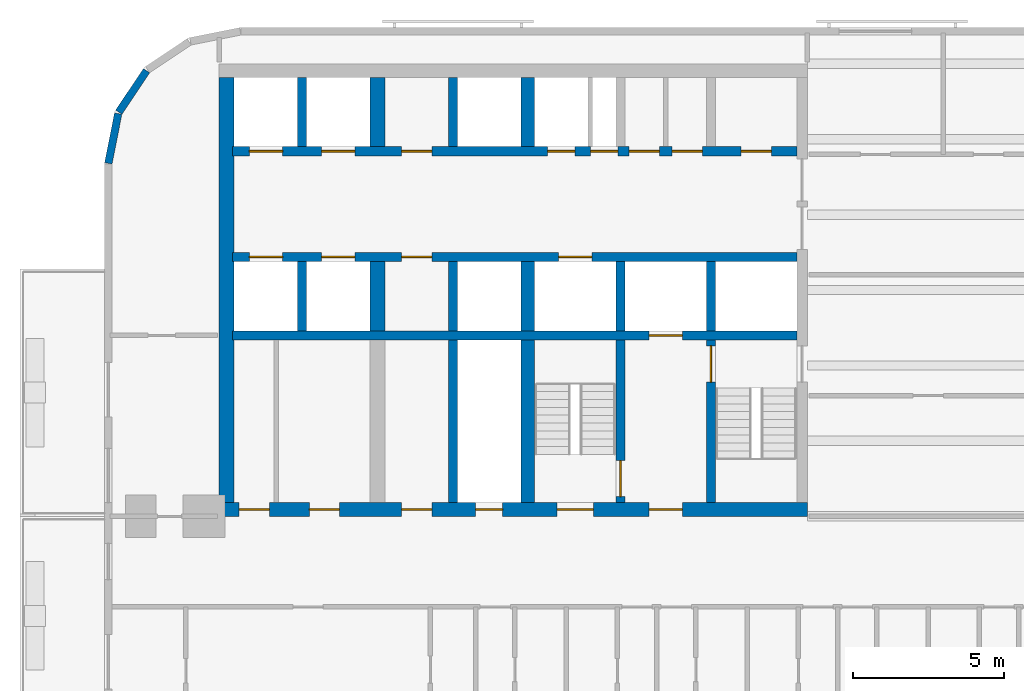
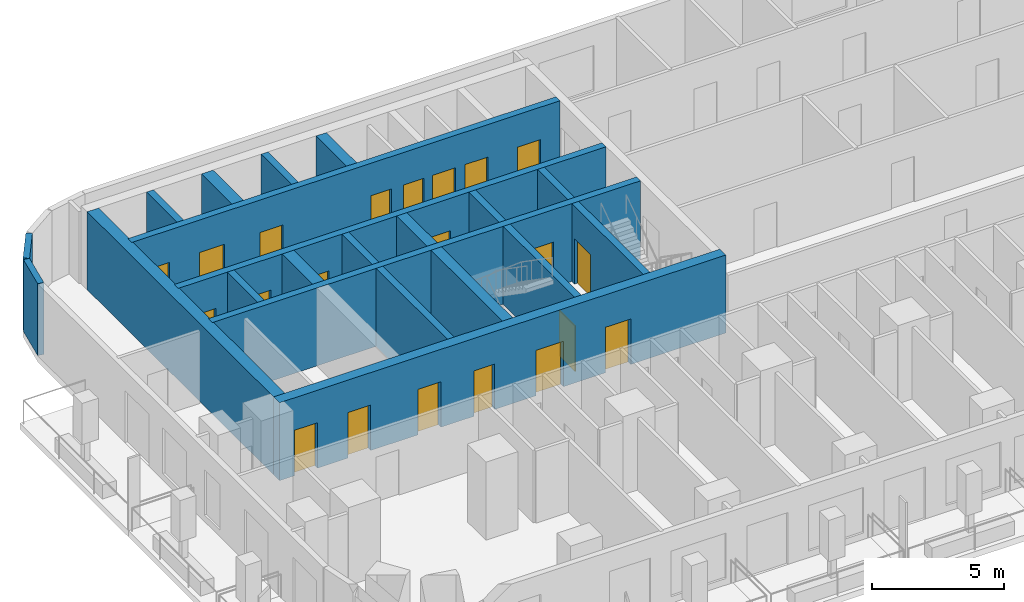
# One storey, part 3 of 14: 21 doors, 21 walls, 21 openings.
"""IFC4 building model written with IfcOpenShell, lengths in metres."""

from ifc_helpers import new_model, si_unit, direction, frame, frame_2d, origin, place, context, subcontext, project, spatial, rectangle, extrude, material, layer, layer_set, type_object, element, fill, save


model = new_model("IFC4")

# Units and contexts
model_context = context("Model", 3, precision=1e-05, world=origin(), true_north=direction((0.0, 1.0)))
body_context = subcontext(model_context, "Body", "Model", "MODEL_VIEW")
ifc_project = project(units=[si_unit("LENGTHUNIT", "METRE"), si_unit("AREAUNIT", "SQUARE_METRE"), si_unit("VOLUMEUNIT", "CUBIC_METRE"), si_unit("PLANEANGLEUNIT", "RADIAN"), si_unit("MASSUNIT", "GRAM", prefix="KILO")], contexts=[model_context])

# Site, building, storey
site_placement = place(None, origin())
site = spatial("IfcSite", under=ifc_project, at=site_placement, CompositionType="ELEMENT")
building_placement = place(site_placement, origin())
building = spatial("IfcBuilding", under=site, at=building_placement, Name="Torana Hotel and Residences", CompositionType="ELEMENT")
storey_placement = place(building_placement, frame((0.0, 0.0, 38.39990234375)))
storey = spatial("IfcBuildingStorey", under=building, at=storey_placement, Name="L08", CompositionType="ELEMENT", Elevation=38.39990234375)

# Wall, openings, doors
ifc_material_1 = material(Name="Concrete C80/95", Category="concrete")
ifc_layer_1 = layer(ifc_material_1, 0.300048828125)
ifc_layer_set_1 = layer_set([ifc_layer_1], Name="CORE WALL 300 C80/95")
wall_type_1 = type_object("IfcWallType", Name="CORE WALL 300 C80/95", PredefinedType="SHEAR", material=ifc_layer_set_1)
wall_1_placement = place(storey_placement, frame((-29.050048828125, -2.89990234375, 0.0), z_axis=(0.0, 0.0, 1.0), x_axis=(1.0, 0.0, 0.0)))
wall_1 = element("IfcWall", 1, at=wall_1_placement, inside=storey, type_object=wall_type_1, Name="Core wall W row-N", PredefinedType="SHEAR", context=body_context, shape_type="SweptSolid", body=[
    extrude(rectangle(XDim=18.699951171875, YDim=0.300048828125, at=frame_2d((9.35009765625, 0.0))), origin(), (0.0, 0.0, 1.0), 3.60009765625),
])
opening_1_placement = place(wall_1_placement, frame((2.949951171875, 0.0, 0.0)))
opening_1 = element("IfcOpeningElement", 2, at=opening_1_placement, cuts=wall_1, Name="Opening LD", PredefinedType="OPENING", context=body_context, shape_type="SweptSolid", body=[
    extrude(rectangle(XDim=1.10009765625, YDim=2.10009765625, at=frame_2d((0.550048828125, 1.050048828125))), frame((0.0, 0.159912109375, 0.0), z_axis=(0.0, -1.0, 0.0), x_axis=(1.0, 0.0, 0.0)), (0.0, 0.0, 1.0), 0.320068359375),
])
opening_2_placement = place(wall_1_placement, frame((0.550048828125, 0.0, 0.0)))
opening_2 = element("IfcOpeningElement", 3, at=opening_2_placement, cuts=wall_1, Name="Opening LD", PredefinedType="OPENING", context=body_context, shape_type="SweptSolid", body=[
    extrude(rectangle(XDim=1.10009765625, YDim=2.10009765625, at=frame_2d((0.550048828125, 1.050048828125))), frame((0.0, 0.159912109375, 0.0), z_axis=(0.0, -1.0, 0.0), x_axis=(1.0, 0.0, 0.0)), (0.0, 0.0, 1.0), 0.320068359375),
])
opening_3_placement = place(wall_1_placement, frame((11.862548828125, 0.0, 0.0)))
opening_3 = element("IfcOpeningElement", 4, at=opening_3_placement, cuts=wall_1, Name="Opening L08-10", PredefinedType="OPENING", context=body_context, shape_type="SweptSolid", body=[
    extrude(rectangle(XDim=0.89990234375, YDim=2.10009765625, at=frame_2d((0.449951171875, 1.050048828125))), frame((0.0, 0.159912109375, 0.0), z_axis=(0.0, -1.0, 0.0), x_axis=(1.0, 0.0, 0.0)), (0.0, 0.0, 1.0), 0.320068359375),
])
opening_4_placement = place(wall_1_placement, frame((10.4375, 0.0, 0.0)))
opening_4 = element("IfcOpeningElement", 5, at=opening_4_placement, cuts=wall_1, Name="Opening L08-11", PredefinedType="OPENING", context=body_context, shape_type="SweptSolid", body=[
    extrude(rectangle(XDim=0.89990234375, YDim=2.10009765625, at=frame_2d((0.449951171875, 1.050048828125))), frame((0.0, 0.159912109375, 0.0), z_axis=(0.0, -1.0, 0.0), x_axis=(1.0, 0.0, 0.0)), (0.0, 0.0, 1.0), 0.320068359375),
])
opening_5_placement = place(wall_1_placement, frame((16.85009765625, 0.0, 0.0)))
opening_5 = element("IfcOpeningElement", 6, at=opening_5_placement, cuts=wall_1, Name="Opening L08-12", PredefinedType="OPENING", context=body_context, shape_type="SweptSolid", body=[
    extrude(rectangle(XDim=1.0, YDim=2.10009765625, at=frame_2d((0.5, 1.050048828125))), frame((0.0, 0.159912109375, 0.0), z_axis=(0.0, -1.0, 0.0), x_axis=(1.0, 0.0, 0.0)), (0.0, 0.0, 1.0), 0.320068359375),
])
opening_6_placement = place(wall_1_placement, frame((14.5625, 0.0, 0.0)))
opening_6 = element("IfcOpeningElement", 7, at=opening_6_placement, cuts=wall_1, Name="Opening L08-13", PredefinedType="OPENING", context=body_context, shape_type="SweptSolid", body=[
    extrude(rectangle(XDim=1.0, YDim=2.10009765625, at=frame_2d((0.5, 1.050048828125))), frame((0.0, 0.159912109375, 0.0), z_axis=(0.0, -1.0, 0.0), x_axis=(1.0, 0.0, 0.0)), (0.0, 0.0, 1.0), 0.320068359375),
])
opening_7_placement = place(wall_1_placement, frame((13.137451171875, 0.0, 0.0)))
opening_7 = element("IfcOpeningElement", 8, at=opening_7_placement, cuts=wall_1, Name="Opening L08-14", PredefinedType="OPENING", context=body_context, shape_type="SweptSolid", body=[
    extrude(rectangle(XDim=1.0, YDim=2.10009765625, at=frame_2d((0.5, 1.050048828125))), frame((0.0, 0.159912109375, 0.0), z_axis=(0.0, -1.0, 0.0), x_axis=(1.0, 0.0, 0.0)), (0.0, 0.0, 1.0), 0.320068359375),
])
opening_8_placement = place(wall_1_placement, frame((5.60009765625, 0.0, 0.0)))
opening_8 = element("IfcOpeningElement", 9, at=opening_8_placement, cuts=wall_1, Name="Opening L08-15", PredefinedType="OPENING", context=body_context, shape_type="SweptSolid", body=[
    extrude(rectangle(XDim=1.0, YDim=2.10009765625, at=frame_2d((0.5, 1.050048828125))), frame((0.0, 0.159912109375, 0.0), z_axis=(0.0, -1.0, 0.0), x_axis=(1.0, 0.0, 0.0)), (0.0, 0.0, 1.0), 0.320068359375),
])
ifc_material_2 = material(Name="Steel S235", Category="steel")
door_type_1 = type_object("IfcDoorType", Name="CORE ROOM FIRE DOOR D14 1000x2100", OperationType="SINGLE_SWING_LEFT", PredefinedType="DOOR", material=ifc_material_2)
door_1_placement = place(opening_5_placement, origin())
door_1 = element("IfcDoor", 10, at=door_1_placement, inside=storey, type_object=door_type_1, Name="N0 door L08", OperationType="SINGLE_SWING_RIGHT", OverallHeight=2.10009765625, OverallWidth=1.0, PredefinedType="DOOR", context=body_context, shape_type="SweptSolid", body=[
    extrude(rectangle(XDim=1.0, YDim=2.10009765625, at=frame_2d((0.5, 1.050048828125))), frame((0.0, 0.02490234375, 0.0), z_axis=(0.0, -1.0, 0.0), x_axis=(1.0, 0.0, 0.0)), (0.0, 0.0, 1.0), 0.050048828125),
])
fill(opening_5, door_1)
door_2_placement = place(opening_6_placement, origin())
door_2 = element("IfcDoor", 11, at=door_2_placement, inside=storey, type_object=door_type_1, Name="N1A door L08", OperationType="SINGLE_SWING_RIGHT", OverallHeight=2.10009765625, OverallWidth=1.0, PredefinedType="DOOR", context=body_context, shape_type="SweptSolid", body=[
    extrude(rectangle(XDim=1.0, YDim=2.10009765625, at=frame_2d((0.5, 1.050048828125))), frame((0.0, 0.02490234375, 0.0), z_axis=(0.0, -1.0, 0.0), x_axis=(1.0, 0.0, 0.0)), (0.0, 0.0, 1.0), 0.050048828125),
])
fill(opening_6, door_2)
door_3_placement = place(opening_7_placement, origin())
door_3 = element("IfcDoor", 12, at=door_3_placement, inside=storey, type_object=door_type_1, Name="N1B door L08", OperationType="SINGLE_SWING_RIGHT", OverallHeight=2.10009765625, OverallWidth=1.0, PredefinedType="DOOR", context=body_context, shape_type="SweptSolid", body=[
    extrude(rectangle(XDim=1.0, YDim=2.10009765625, at=frame_2d((0.5, 1.050048828125))), frame((0.0, 0.02490234375, 0.0), z_axis=(0.0, -1.0, 0.0), x_axis=(1.0, 0.0, 0.0)), (0.0, 0.0, 1.0), 0.050048828125),
])
fill(opening_7, door_3)
door_4_placement = place(opening_8_placement, origin())
door_4 = element("IfcDoor", 13, at=door_4_placement, inside=storey, type_object=door_type_1, Name="Free-M1 door L08", OperationType="SINGLE_SWING_RIGHT", OverallHeight=2.10009765625, OverallWidth=1.0, PredefinedType="DOOR", context=body_context, shape_type="SweptSolid", body=[
    extrude(rectangle(XDim=1.0, YDim=2.10009765625, at=frame_2d((0.5, 1.050048828125))), frame((0.0, 0.02490234375, 0.0), z_axis=(0.0, -1.0, 0.0), x_axis=(1.0, 0.0, 0.0)), (0.0, 0.0, 1.0), 0.050048828125),
])
fill(opening_8, door_4)
ifc_material_3 = material(Name="Stainless steel 316", Category="steel")
door_type_2 = type_object("IfcDoorType", Name="LIFT LANDING DOOR LD 1100x2100", OperationType="DOUBLE_DOOR_SLIDING", PredefinedType="USERDEFINED", material=ifc_material_3)
door_5_placement = place(opening_1_placement, origin())
door_5 = element("IfcDoor", 14, at=door_5_placement, inside=storey, type_object=door_type_2, Name="Lift landing door L1 L08", ObjectType="LIFT LANDING DOOR", OperationType="DOUBLE_DOOR_SLIDING", OverallHeight=2.10009765625, OverallWidth=1.10009765625, PredefinedType="USERDEFINED", context=body_context, shape_type="SweptSolid", body=[
    extrude(rectangle(XDim=1.10009765625, YDim=2.10009765625, at=frame_2d((0.550048828125, 1.050048828125))), frame((0.0, 0.02490234375, 0.0), z_axis=(0.0, -1.0, 0.0), x_axis=(1.0, 0.0, 0.0)), (0.0, 0.0, 1.0), 0.050048828125),
])
fill(opening_1, door_5)
door_6_placement = place(opening_2_placement, origin())
door_6 = element("IfcDoor", 15, at=door_6_placement, inside=storey, type_object=door_type_2, Name="Lift landing door L2 L08", ObjectType="LIFT LANDING DOOR", OperationType="DOUBLE_DOOR_SLIDING", OverallHeight=2.10009765625, OverallWidth=1.10009765625, PredefinedType="USERDEFINED", context=body_context, shape_type="SweptSolid", body=[
    extrude(rectangle(XDim=1.10009765625, YDim=2.10009765625, at=frame_2d((0.550048828125, 1.050048828125))), frame((0.0, 0.02490234375, 0.0), z_axis=(0.0, -1.0, 0.0), x_axis=(1.0, 0.0, 0.0)), (0.0, 0.0, 1.0), 0.050048828125),
])
fill(opening_2, door_6)
ifc_material_4 = material(Name="Steel S235", Category="steel")
door_type_3 = type_object("IfcDoorType", Name="RISER ACCESS DOOR D5 900x2100", OperationType="SINGLE_SWING_LEFT", PredefinedType="DOOR", material=ifc_material_4)
door_7_placement = place(opening_3_placement, origin())
door_7 = element("IfcDoor", 16, at=door_7_placement, inside=storey, type_object=door_type_3, Name="N2A door L08", OperationType="SINGLE_SWING_LEFT", OverallHeight=2.10009765625, OverallWidth=0.89990234375, PredefinedType="DOOR", context=body_context, shape_type="SweptSolid", body=[
    extrude(rectangle(XDim=0.89990234375, YDim=2.10009765625, at=frame_2d((0.449951171875, 1.050048828125))), frame((0.0, 0.02490234375, 0.0), z_axis=(0.0, -1.0, 0.0), x_axis=(1.0, 0.0, 0.0)), (0.0, 0.0, 1.0), 0.050048828125),
])
fill(opening_3, door_7)
door_8_placement = place(opening_4_placement, origin())
door_8 = element("IfcDoor", 17, at=door_8_placement, inside=storey, type_object=door_type_3, Name="N2B door L08", OperationType="SINGLE_SWING_RIGHT", OverallHeight=2.10009765625, OverallWidth=0.89990234375, PredefinedType="DOOR", context=body_context, shape_type="SweptSolid", body=[
    extrude(rectangle(XDim=0.89990234375, YDim=2.10009765625, at=frame_2d((0.449951171875, 1.050048828125))), frame((0.0, 0.02490234375, 0.0), z_axis=(0.0, -1.0, 0.0), x_axis=(1.0, 0.0, 0.0)), (0.0, 0.0, 1.0), 0.050048828125),
])
fill(opening_4, door_8)

wall_2_placement = place(storey_placement, frame((-29.050048828125, -6.39990234375, 0.0), z_axis=(0.0, 0.0, 1.0), x_axis=(1.0, 0.0, 0.0)))
wall_2 = element("IfcWall", 18, at=wall_2_placement, inside=storey, type_object=wall_type_1, Name="Core wall W row-S", PredefinedType="SHEAR", context=body_context, shape_type="SweptSolid", body=[
    extrude(rectangle(XDim=18.699951171875, YDim=0.300048828125, at=frame_2d((9.35009765625, 0.0))), origin(), (0.0, 0.0, 1.0), 3.60009765625),
])
opening_9_placement = place(wall_2_placement, frame((2.949951171875, 0.0, 0.0)))
opening_9 = element("IfcOpeningElement", 19, at=opening_9_placement, cuts=wall_2, Name="Opening LD", PredefinedType="OPENING", context=body_context, shape_type="SweptSolid", body=[
    extrude(rectangle(XDim=1.10009765625, YDim=2.10009765625, at=frame_2d((0.550048828125, 1.050048828125))), frame((0.0, 0.159912109375, 0.0), z_axis=(0.0, -1.0, 0.0), x_axis=(1.0, 0.0, 0.0)), (0.0, 0.0, 1.0), 0.320068359375),
])
opening_10_placement = place(wall_2_placement, frame((0.550048828125, 0.0, 0.0)))
opening_10 = element("IfcOpeningElement", 20, at=opening_10_placement, cuts=wall_2, Name="Opening LD", PredefinedType="OPENING", context=body_context, shape_type="SweptSolid", body=[
    extrude(rectangle(XDim=1.10009765625, YDim=2.10009765625, at=frame_2d((0.550048828125, 1.050048828125))), frame((0.0, 0.159912109375, 0.0), z_axis=(0.0, -1.0, 0.0), x_axis=(1.0, 0.0, 0.0)), (0.0, 0.0, 1.0), 0.320068359375),
])
opening_11_placement = place(wall_2_placement, frame((10.800048828125, 0.0, 0.0)))
opening_11 = element("IfcOpeningElement", 21, at=opening_11_placement, cuts=wall_2, Name="Opening LD", PredefinedType="OPENING", context=body_context, shape_type="SweptSolid", body=[
    extrude(rectangle(XDim=1.10009765625, YDim=2.10009765625, at=frame_2d((0.550048828125, 1.050048828125))), frame((0.0, 0.159912109375, 0.0), z_axis=(0.0, -1.0, 0.0), x_axis=(1.0, 0.0, 0.0)), (0.0, 0.0, 1.0), 0.320068359375),
])
opening_12_placement = place(wall_2_placement, frame((5.60009765625, 0.0, 0.0)))
opening_12 = element("IfcOpeningElement", 22, at=opening_12_placement, cuts=wall_2, Name="Opening L08-16", PredefinedType="OPENING", context=body_context, shape_type="SweptSolid", body=[
    extrude(rectangle(XDim=1.0, YDim=2.10009765625, at=frame_2d((0.5, 1.050048828125))), frame((0.0, 0.159912109375, 0.0), z_axis=(0.0, -1.0, 0.0), x_axis=(1.0, 0.0, 0.0)), (0.0, 0.0, 1.0), 0.320068359375),
])
door_9_placement = place(opening_12_placement, frame((0.5, 0.0, 0.0), z_axis=(0.0, 0.0, 1.0), x_axis=(-1.0, 0.0, 0.0)))
door_9 = element("IfcDoor", 23, at=door_9_placement, inside=storey, type_object=door_type_1, Name="Free-M2 door L08", OperationType="SINGLE_SWING_LEFT", OverallHeight=2.10009765625, OverallWidth=1.0, PredefinedType="DOOR", context=body_context, shape_type="SweptSolid", body=[
    extrude(rectangle(XDim=1.0, YDim=2.10009765625, at=frame_2d((0.0, 1.050048828125))), frame((0.0, -0.02490234375, 0.0), z_axis=(0.0, 1.0, 0.0), x_axis=(-1.0, 0.0, 0.0)), (0.0, 0.0, 1.0), 0.050048828125),
])
fill(opening_12, door_9)
door_10_placement = place(opening_9_placement, origin())
door_10 = element("IfcDoor", 24, at=door_10_placement, inside=storey, type_object=door_type_2, Name="Lift landing door L3 L08", ObjectType="LIFT LANDING DOOR", OperationType="DOUBLE_DOOR_SLIDING", OverallHeight=2.10009765625, OverallWidth=1.10009765625, PredefinedType="USERDEFINED", context=body_context, shape_type="SweptSolid", body=[
    extrude(rectangle(XDim=1.10009765625, YDim=2.10009765625, at=frame_2d((0.550048828125, 1.050048828125))), frame((0.0, 0.02490234375, 0.0), z_axis=(0.0, -1.0, 0.0), x_axis=(1.0, 0.0, 0.0)), (0.0, 0.0, 1.0), 0.050048828125),
])
fill(opening_9, door_10)
door_11_placement = place(opening_10_placement, origin())
door_11 = element("IfcDoor", 25, at=door_11_placement, inside=storey, type_object=door_type_2, Name="Lift landing door L4 L08", ObjectType="LIFT LANDING DOOR", OperationType="DOUBLE_DOOR_SLIDING", OverallHeight=2.10009765625, OverallWidth=1.10009765625, PredefinedType="USERDEFINED", context=body_context, shape_type="SweptSolid", body=[
    extrude(rectangle(XDim=1.10009765625, YDim=2.10009765625, at=frame_2d((0.550048828125, 1.050048828125))), frame((0.0, 0.02490234375, 0.0), z_axis=(0.0, -1.0, 0.0), x_axis=(1.0, 0.0, 0.0)), (0.0, 0.0, 1.0), 0.050048828125),
])
fill(opening_10, door_11)
door_12_placement = place(opening_11_placement, origin())
door_12 = element("IfcDoor", 26, at=door_12_placement, inside=storey, type_object=door_type_2, Name="Lift landing door SV1 L08", ObjectType="LIFT LANDING DOOR", OperationType="DOUBLE_DOOR_SLIDING", OverallHeight=2.10009765625, OverallWidth=1.10009765625, PredefinedType="USERDEFINED", context=body_context, shape_type="SweptSolid", body=[
    extrude(rectangle(XDim=1.10009765625, YDim=2.10009765625, at=frame_2d((0.550048828125, 1.050048828125))), frame((0.0, 0.02490234375, 0.0), z_axis=(0.0, -1.0, 0.0), x_axis=(1.0, 0.0, 0.0)), (0.0, 0.0, 1.0), 0.050048828125),
])
fill(opening_11, door_12)

# Wall, opening, door
wall_3_placement = place(storey_placement, frame((-29.050048828125, -9.0, 0.0), z_axis=(0.0, 0.0, 1.0), x_axis=(1.0, 0.0, 0.0)))
wall_3 = element("IfcWall", 27, at=wall_3_placement, inside=storey, type_object=wall_type_1, Name="Core wall W band", PredefinedType="SHEAR", context=body_context, shape_type="SweptSolid", body=[
    extrude(rectangle(XDim=18.699951171875, YDim=0.300048828125, at=frame_2d((9.35009765625, 0.0))), origin(), (0.0, 0.0, 1.0), 3.60009765625),
])
opening_13_placement = place(wall_3_placement, frame((13.800048828125, 0.0, 0.0)))
opening_13 = element("IfcOpeningElement", 28, at=opening_13_placement, cuts=wall_3, Name="Opening LD", PredefinedType="OPENING", context=body_context, shape_type="SweptSolid", body=[
    extrude(rectangle(XDim=1.10009765625, YDim=2.10009765625, at=frame_2d((0.550048828125, 1.050048828125))), frame((0.0, 0.159912109375, 0.0), z_axis=(0.0, -1.0, 0.0), x_axis=(1.0, 0.0, 0.0)), (0.0, 0.0, 1.0), 0.320068359375),
])
door_13_placement = place(opening_13_placement, origin())
door_13 = element("IfcDoor", 29, at=door_13_placement, inside=storey, type_object=door_type_2, Name="Lift landing door FF1 L08", ObjectType="LIFT LANDING DOOR", OperationType="DOUBLE_DOOR_SLIDING", OverallHeight=2.10009765625, OverallWidth=1.10009765625, PredefinedType="USERDEFINED", context=body_context, shape_type="SweptSolid", body=[
    extrude(rectangle(XDim=1.10009765625, YDim=2.10009765625, at=frame_2d((0.550048828125, 1.050048828125))), frame((0.0, 0.02490234375, 0.0), z_axis=(0.0, -1.0, 0.0), x_axis=(1.0, 0.0, 0.0)), (0.0, 0.0, 1.0), 0.050048828125),
])
fill(opening_13, door_13)

# Wall
wall_4_placement = place(storey_placement, frame((-13.199951171875, -8.85009765625, 0.0), z_axis=(0.0, 0.0, 1.0), x_axis=(0.0, 1.0, 0.0)))
element("IfcWall", 30, at=wall_4_placement, inside=storey, type_object=wall_type_1, Name="Core wall W x3.05-S", PredefinedType="SHEAR", context=body_context, shape_type="SweptSolid", body=[
    extrude(rectangle(XDim=2.300048828125, YDim=0.300048828125, at=frame_2d((1.14990234375, 0.0))), origin(), (0.0, 0.0, 1.0), 3.60009765625),
])

# Wall, opening, door
wall_5_placement = place(storey_placement, frame((-13.199951171875, -14.550048828125, 0.0), z_axis=(0.0, 0.0, 1.0), x_axis=(0.0, 1.0, 0.0)))
wall_5 = element("IfcWall", 31, at=wall_5_placement, inside=storey, type_object=wall_type_1, Name="Core wall W x3.05-band", PredefinedType="SHEAR", context=body_context, shape_type="SweptSolid", body=[
    extrude(rectangle(XDim=5.400146484375, YDim=0.300048828125, at=frame_2d((2.7001953125, 0.0))), origin(), (0.0, 0.0, 1.0), 3.60009765625),
])
opening_14_placement = place(wall_5_placement, frame((4.0, 0.0, 0.0)))
opening_14 = element("IfcOpeningElement", 32, at=opening_14_placement, cuts=wall_5, Name="Opening L08-17", PredefinedType="OPENING", context=body_context, shape_type="SweptSolid", body=[
    extrude(rectangle(XDim=1.199951171875, YDim=2.10009765625, at=frame_2d((0.60009765625, 1.050048828125))), frame((0.0, 0.159912109375, 0.0), z_axis=(0.0, -1.0, 0.0), x_axis=(1.0, 0.0, 0.0)), (0.0, 0.0, 1.0), 0.320068359375),
])
ifc_material_5 = material(Name="Steel S235", Category="steel")
door_type_4 = type_object("IfcDoorType", Name="STAIR FIRE DOOR D3 1200x2100", OperationType="SINGLE_SWING_LEFT", PredefinedType="DOOR", material=ifc_material_5)
door_14_placement = place(opening_14_placement, frame((0.60009765625, 0.0, 0.0), z_axis=(0.0, 0.0, 1.0), x_axis=(-1.0, 0.0, 0.0)))
door_14 = element("IfcDoor", 33, at=door_14_placement, inside=storey, type_object=door_type_4, Name="Stair-A-lobby door L08", OperationType="SINGLE_SWING_RIGHT", OverallHeight=2.10009765625, OverallWidth=1.199951171875, PredefinedType="DOOR", context=body_context, shape_type="SweptSolid", body=[
    extrude(rectangle(XDim=1.199951171875, YDim=2.10009765625, at=frame_2d((0.0, 1.050048828125))), frame((0.0, -0.02490234375, 0.0), z_axis=(0.0, 1.0, 0.0), x_axis=(-1.0, 0.0, 0.0)), (0.0, 0.0, 1.0), 0.050048828125),
])
fill(opening_14, door_14)

# Wall
wall_6_placement = place(storey_placement, frame((-16.199951171875, -8.85009765625, 0.0), z_axis=(0.0, 0.0, 1.0), x_axis=(0.0, 1.0, 0.0)))
element("IfcWall", 34, at=wall_6_placement, inside=storey, type_object=wall_type_1, Name="Core wall W x6.05-S", PredefinedType="SHEAR", context=body_context, shape_type="SweptSolid", body=[
    extrude(rectangle(XDim=2.300048828125, YDim=0.300048828125, at=frame_2d((1.14990234375, 0.0))), origin(), (0.0, 0.0, 1.0), 3.60009765625),
])

# Wall, opening, door
wall_7_placement = place(storey_placement, frame((-16.199951171875, -14.550048828125, 0.0), z_axis=(0.0, 0.0, 1.0), x_axis=(0.0, 1.0, 0.0)))
wall_7 = element("IfcWall", 35, at=wall_7_placement, inside=storey, type_object=wall_type_1, Name="Core wall W x6.05-band", PredefinedType="SHEAR", context=body_context, shape_type="SweptSolid", body=[
    extrude(rectangle(XDim=5.400146484375, YDim=0.300048828125, at=frame_2d((2.7001953125, 0.0))), origin(), (0.0, 0.0, 1.0), 3.60009765625),
])
opening_15_placement = place(wall_7_placement, frame((0.199951171875, 0.0, 0.0)))
opening_15 = element("IfcOpeningElement", 36, at=opening_15_placement, cuts=wall_7, Name="Opening L08-18", PredefinedType="OPENING", context=body_context, shape_type="SweptSolid", body=[
    extrude(rectangle(XDim=1.199951171875, YDim=2.10009765625, at=frame_2d((0.60009765625, 1.050048828125))), frame((0.0, 0.159912109375, 0.0), z_axis=(0.0, -1.0, 0.0), x_axis=(1.0, 0.0, 0.0)), (0.0, 0.0, 1.0), 0.320068359375),
])
door_15_placement = place(opening_15_placement, origin())
door_15 = element("IfcDoor", 37, at=door_15_placement, inside=storey, type_object=door_type_4, Name="Stair-B-lobby door L08", OperationType="SINGLE_SWING_RIGHT", OverallHeight=2.10009765625, OverallWidth=1.199951171875, PredefinedType="DOOR", context=body_context, shape_type="SweptSolid", body=[
    extrude(rectangle(XDim=1.199951171875, YDim=2.10009765625, at=frame_2d((0.60009765625, 1.050048828125))), frame((0.0, 0.02490234375, 0.0), z_axis=(0.0, -1.0, 0.0), x_axis=(1.0, 0.0, 0.0)), (0.0, 0.0, 1.0), 0.050048828125),
])
fill(opening_15, door_15)

# Walls
for number, where, z_axis, x_axis, name in (
    (38, (-21.75, -2.75, 0.0), (0.0, 0.0, 1.0), (0.0, 1.0, 0.0), "Core wall W mm-N"),
    (39, (-21.75, -8.85009765625, 0.0), (0.0, 0.0, 1.0), (0.0, 1.0, 0.0), "Core wall W mm-S"),
):
    element("IfcWall", number, at=place(storey_placement, frame(where, z_axis=z_axis, x_axis=x_axis)), inside=storey, type_object=wall_type_1, Name=name, PredefinedType="SHEAR", context=body_context, shape_type="SweptSolid", body=[
        extrude(rectangle(XDim=2.300048828125, YDim=0.300048828125, at=frame_2d((1.14990234375, 0.0))), origin(), (0.0, 0.0, 1.0), 3.60009765625),
    ])
wall_8_placement = place(storey_placement, frame((-21.75, -14.550048828125, 0.0), z_axis=(0.0, 0.0, 1.0), x_axis=(0.0, 1.0, 0.0)))
element("IfcWall", 40, at=wall_8_placement, inside=storey, type_object=wall_type_1, Name="Core wall W mm-band", PredefinedType="SHEAR", context=body_context, shape_type="SweptSolid", body=[
    extrude(rectangle(XDim=5.400146484375, YDim=0.300048828125, at=frame_2d((2.7001953125, 0.0))), origin(), (0.0, 0.0, 1.0), 3.60009765625),
])
for number, where, z_axis, x_axis, name in (
    (41, (-26.75, -2.75, 0.0), (0.0, 0.0, 1.0), (0.0, 1.0, 0.0), "Core wall W ll-N"),
    (42, (-26.75, -8.85009765625, 0.0), (0.0, 0.0, 1.0), (0.0, 1.0, 0.0), "Core wall W ll-S"),
):
    element("IfcWall", number, at=place(storey_placement, frame(where, z_axis=z_axis, x_axis=x_axis)), inside=storey, type_object=wall_type_1, Name=name, PredefinedType="SHEAR", context=body_context, shape_type="SweptSolid", body=[
        extrude(rectangle(XDim=2.300048828125, YDim=0.300048828125, at=frame_2d((1.14990234375, 0.0))), origin(), (0.0, 0.0, 1.0), 3.60009765625),
    ])

# Wall, openings, doors
ifc_material_6 = material(Name="Concrete C80/95", Category="concrete")
ifc_layer_2 = layer(ifc_material_6, 0.449951171875)
ifc_layer_set_2 = layer_set([ifc_layer_2], Name="CORE WALL 450 C80/95")
wall_type_2 = type_object("IfcWallType", Name="CORE WALL 450 C80/95", PredefinedType="SHEAR", material=ifc_layer_set_2)
wall_9_placement = place(storey_placement, frame((-29.5, -14.77490234375, 0.0), z_axis=(0.0, 0.0, 1.0), x_axis=(1.0, 0.0, 0.0)))
wall_9 = element("IfcWall", 43, at=wall_9_placement, inside=storey, type_object=wall_type_2, Name="Core wall W front", PredefinedType="SHEAR", context=body_context, shape_type="SweptSolid", body=[
    extrude(rectangle(XDim=19.5, YDim=0.449951171875, at=frame_2d((9.75, 0.0))), origin(), (0.0, 0.0, 1.0), 3.60009765625),
])
opening_16_placement = place(wall_9_placement, frame((11.199951171875, 0.0, 0.0)))
opening_16 = element("IfcOpeningElement", 44, at=opening_16_placement, cuts=wall_9, Name="Opening L08-04", PredefinedType="OPENING", context=body_context, shape_type="SweptSolid", body=[
    extrude(rectangle(XDim=1.199951171875, YDim=2.10009765625, at=frame_2d((0.60009765625, 1.050048828125))), frame((0.0, 0.23486328125, 0.0), z_axis=(0.0, -1.0, 0.0), x_axis=(1.0, 0.0, 0.0)), (0.0, 0.0, 1.0), 0.469970703125),
])
opening_17_placement = place(wall_9_placement, frame((14.25, 0.0, 0.0)))
opening_17 = element("IfcOpeningElement", 45, at=opening_17_placement, cuts=wall_9, Name="Opening L08-05", PredefinedType="OPENING", context=body_context, shape_type="SweptSolid", body=[
    extrude(rectangle(XDim=1.10009765625, YDim=2.10009765625, at=frame_2d((0.550048828125, 1.050048828125))), frame((0.0, 0.23486328125, 0.0), z_axis=(0.0, -1.0, 0.0), x_axis=(1.0, 0.0, 0.0)), (0.0, 0.0, 1.0), 0.469970703125),
])
opening_18_placement = place(wall_9_placement, frame((8.5, 0.0, 0.0)))
opening_18 = element("IfcOpeningElement", 46, at=opening_18_placement, cuts=wall_9, Name="Opening L08-06", PredefinedType="OPENING", context=body_context, shape_type="SweptSolid", body=[
    extrude(rectangle(XDim=0.89990234375, YDim=2.10009765625, at=frame_2d((0.449951171875, 1.050048828125))), frame((0.0, 0.23486328125, 0.0), z_axis=(0.0, -1.0, 0.0), x_axis=(1.0, 0.0, 0.0)), (0.0, 0.0, 1.0), 0.469970703125),
])
opening_19_placement = place(wall_9_placement, frame((6.050048828125, 0.0, 0.0)))
opening_19 = element("IfcOpeningElement", 47, at=opening_19_placement, cuts=wall_9, Name="Opening L08-07", PredefinedType="OPENING", context=body_context, shape_type="SweptSolid", body=[
    extrude(rectangle(XDim=1.0, YDim=2.10009765625, at=frame_2d((0.5, 1.050048828125))), frame((0.0, 0.23486328125, 0.0), z_axis=(0.0, -1.0, 0.0), x_axis=(1.0, 0.0, 0.0)), (0.0, 0.0, 1.0), 0.469970703125),
])
opening_20_placement = place(wall_9_placement, frame((2.987548828125, 0.0, 0.0)))
opening_20 = element("IfcOpeningElement", 48, at=opening_20_placement, cuts=wall_9, Name="Opening L08-08", PredefinedType="OPENING", context=body_context, shape_type="SweptSolid", body=[
    extrude(rectangle(XDim=1.0, YDim=2.10009765625, at=frame_2d((0.5, 1.050048828125))), frame((0.0, 0.23486328125, 0.0), z_axis=(0.0, -1.0, 0.0), x_axis=(1.0, 0.0, 0.0)), (0.0, 0.0, 1.0), 0.469970703125),
])
opening_21_placement = place(wall_9_placement, frame((0.66259765625, 0.0, 0.0)))
opening_21 = element("IfcOpeningElement", 49, at=opening_21_placement, cuts=wall_9, Name="Opening L08-09", PredefinedType="OPENING", context=body_context, shape_type="SweptSolid", body=[
    extrude(rectangle(XDim=1.0, YDim=2.10009765625, at=frame_2d((0.5, 1.050048828125))), frame((0.0, 0.23486328125, 0.0), z_axis=(0.0, -1.0, 0.0), x_axis=(1.0, 0.0, 0.0)), (0.0, 0.0, 1.0), 0.469970703125),
])
door_16_placement = place(opening_19_placement, origin())
door_16 = element("IfcDoor", 50, at=door_16_placement, inside=storey, type_object=door_type_1, Name="M-Room door L08", OperationType="SINGLE_SWING_RIGHT", OverallHeight=2.10009765625, OverallWidth=1.0, PredefinedType="DOOR", context=body_context, shape_type="SweptSolid", body=[
    extrude(rectangle(XDim=1.0, YDim=2.10009765625, at=frame_2d((0.5, 1.050048828125))), frame((0.0, 0.02490234375, 0.0), z_axis=(0.0, -1.0, 0.0), x_axis=(1.0, 0.0, 0.0)), (0.0, 0.0, 1.0), 0.050048828125),
])
fill(opening_19, door_16)
door_17_placement = place(opening_20_placement, origin())
door_17 = element("IfcDoor", 51, at=door_17_placement, inside=storey, type_object=door_type_1, Name="L-A door L08", OperationType="SINGLE_SWING_RIGHT", OverallHeight=2.10009765625, OverallWidth=1.0, PredefinedType="DOOR", context=body_context, shape_type="SweptSolid", body=[
    extrude(rectangle(XDim=1.0, YDim=2.10009765625, at=frame_2d((0.5, 1.050048828125))), frame((0.0, 0.02490234375, 0.0), z_axis=(0.0, -1.0, 0.0), x_axis=(1.0, 0.0, 0.0)), (0.0, 0.0, 1.0), 0.050048828125),
])
fill(opening_20, door_17)
door_18_placement = place(opening_21_placement, origin())
door_18 = element("IfcDoor", 52, at=door_18_placement, inside=storey, type_object=door_type_1, Name="L-B door L08", OperationType="SINGLE_SWING_RIGHT", OverallHeight=2.10009765625, OverallWidth=1.0, PredefinedType="DOOR", context=body_context, shape_type="SweptSolid", body=[
    extrude(rectangle(XDim=1.0, YDim=2.10009765625, at=frame_2d((0.5, 1.050048828125))), frame((0.0, 0.02490234375, 0.0), z_axis=(0.0, -1.0, 0.0), x_axis=(1.0, 0.0, 0.0)), (0.0, 0.0, 1.0), 0.050048828125),
])
fill(opening_21, door_18)
ifc_material_7 = material(Name="Steel S235", Category="steel")
door_type_5 = type_object("IfcDoorType", Name="FIRE-FIGHTING LOBBY DOOR D8 1100x2100", OperationType="SINGLE_SWING_LEFT", PredefinedType="DOOR", material=ifc_material_7)
door_19_placement = place(opening_17_placement, origin())
door_19 = element("IfcDoor", 53, at=door_19_placement, inside=storey, type_object=door_type_5, Name="FF-lobby door L08", OperationType="SINGLE_SWING_RIGHT", OverallHeight=2.10009765625, OverallWidth=1.10009765625, PredefinedType="DOOR", context=body_context, shape_type="SweptSolid", body=[
    extrude(rectangle(XDim=1.10009765625, YDim=2.10009765625, at=frame_2d((0.550048828125, 1.050048828125))), frame((0.0, 0.02490234375, 0.0), z_axis=(0.0, -1.0, 0.0), x_axis=(1.0, 0.0, 0.0)), (0.0, 0.0, 1.0), 0.050048828125),
])
fill(opening_17, door_19)
door_20_placement = place(opening_18_placement, origin())
door_20 = element("IfcDoor", 54, at=door_20_placement, inside=storey, type_object=door_type_3, Name="M-Riser door L08", OperationType="SINGLE_SWING_RIGHT", OverallHeight=2.10009765625, OverallWidth=0.89990234375, PredefinedType="DOOR", context=body_context, shape_type="SweptSolid", body=[
    extrude(rectangle(XDim=0.89990234375, YDim=2.10009765625, at=frame_2d((0.449951171875, 1.050048828125))), frame((0.0, 0.02490234375, 0.0), z_axis=(0.0, -1.0, 0.0), x_axis=(1.0, 0.0, 0.0)), (0.0, 0.0, 1.0), 0.050048828125),
])
fill(opening_18, door_20)
door_21_placement = place(opening_16_placement, origin())
door_21 = element("IfcDoor", 55, at=door_21_placement, inside=storey, type_object=door_type_4, Name="Stair-B door L08", OperationType="SINGLE_SWING_RIGHT", OverallHeight=2.10009765625, OverallWidth=1.199951171875, PredefinedType="DOOR", context=body_context, shape_type="SweptSolid", body=[
    extrude(rectangle(XDim=1.199951171875, YDim=2.10009765625, at=frame_2d((0.60009765625, 1.050048828125))), frame((0.0, 0.02490234375, 0.0), z_axis=(0.0, -1.0, 0.0), x_axis=(1.0, 0.0, 0.0)), (0.0, 0.0, 1.0), 0.050048828125),
])
fill(opening_16, door_21)

# Walls
for number, where, z_axis, x_axis, name in (
    (56, (-19.27490234375, -2.75, 0.0), (0.0, 0.0, 1.0), (0.0, 1.0, 0.0), "Core wall W hm-N"),
    (57, (-19.27490234375, -8.85009765625, 0.0), (0.0, 0.0, 1.0), (0.0, 1.0, 0.0), "Core wall W hm-S"),
):
    element("IfcWall", number, at=place(storey_placement, frame(where, z_axis=z_axis, x_axis=x_axis)), inside=storey, type_object=wall_type_2, Name=name, PredefinedType="SHEAR", context=body_context, shape_type="SweptSolid", body=[
        extrude(rectangle(XDim=2.300048828125, YDim=0.449951171875, at=frame_2d((1.14990234375, 0.0))), origin(), (0.0, 0.0, 1.0), 3.60009765625),
    ])
wall_10_placement = place(storey_placement, frame((-19.27490234375, -14.550048828125, 0.0), z_axis=(0.0, 0.0, 1.0), x_axis=(0.0, 1.0, 0.0)))
element("IfcWall", 58, at=wall_10_placement, inside=storey, type_object=wall_type_2, Name="Core wall W hm-band", PredefinedType="SHEAR", context=body_context, shape_type="SweptSolid", body=[
    extrude(rectangle(XDim=5.400146484375, YDim=0.449951171875, at=frame_2d((2.7001953125, 0.0))), origin(), (0.0, 0.0, 1.0), 3.60009765625),
])
ifc_material_8 = material(Name="Concrete C80/95", Category="concrete")
ifc_layer_3 = layer(ifc_material_8, 0.5)
ifc_layer_set_3 = layer_set([ifc_layer_3], Name="CORE WALL 500 C80/95")
wall_type_3 = type_object("IfcWallType", Name="CORE WALL 500 C80/95", PredefinedType="SHEAR", material=ifc_layer_set_3)
wall_11_placement = place(storey_placement, frame((-29.25, -14.550048828125, 0.0), z_axis=(0.0, 0.0, 1.0), x_axis=(0.0, 1.0, 0.0)))
element("IfcWall", 59, at=wall_11_placement, inside=storey, type_object=wall_type_3, Name="Core wall W outer", PredefinedType="SHEAR", context=body_context, shape_type="SweptSolid", body=[
    extrude(rectangle(XDim=14.10009765625, YDim=0.5, at=frame_2d((7.050048828125, 0.0))), origin(), (0.0, 0.0, 1.0), 3.60009765625),
])
for number, where, z_axis, x_axis, name in (
    (60, (-24.25, -2.75, 0.0), (0.0, 0.0, 1.0), (0.0, 1.0, 0.0), "Core wall W ml-N"),
    (61, (-24.25, -8.85009765625, 0.0), (0.0, 0.0, 1.0), (0.0, 1.0, 0.0), "Core wall W ml-S"),
):
    element("IfcWall", number, at=place(storey_placement, frame(where, z_axis=z_axis, x_axis=x_axis)), inside=storey, type_object=wall_type_3, Name=name, PredefinedType="SHEAR", context=body_context, shape_type="SweptSolid", body=[
        extrude(rectangle(XDim=2.300048828125, YDim=0.5, at=frame_2d((1.14990234375, 0.0))), origin(), (0.0, 0.0, 1.0), 3.60009765625),
    ])
ifc_material_9 = material(Name="Black aluminium composite panel", Category="aluminium")
ifc_layer_4 = layer(ifc_material_9, 0.00390625, Name="Cladding", Category="cladding")
ifc_material_10 = material(Name="Ventilated air cavity")
ifc_layer_5 = layer(ifc_material_10, 0.0400390625, Name="Ventilated cavity", Category="cavity")
ifc_material_11 = material(Name="Mineral wool insulation")
ifc_layer_6 = layer(ifc_material_11, 0.090087890625, Name="Insulation", Category="insulation")
ifc_material_12 = material(Name="Steel S280GD", Category="steel")
ifc_layer_7 = layer(ifc_material_12, 0.092041015625, Name="Steel stud frame", Category="structure")
ifc_material_13 = material(Name="Fire rated plasterboard")
ifc_layer_8 = layer(ifc_material_13, 0.011962890625, Name="Inner board", Category="finish")
ifc_layer_9 = layer(ifc_material_13, 0.011962890625, Name="Second board", Category="finish")
ifc_layer_set_4 = layer_set([ifc_layer_4, ifc_layer_5, ifc_layer_6, ifc_layer_7, ifc_layer_8, ifc_layer_9], Name="EW1 EXTERNAL WALL BLACK METAL CLAD 250")
wall_type_4 = type_object("IfcWallType", Name="EW1 EXTERNAL WALL BLACK METAL CLAD 250", PredefinedType="SOLIDWALL", material=ifc_layer_set_4)
wall_12_placement = place(storey_placement, frame((-31.90576171875, -0.228759765625, 0.0), z_axis=(0.0, 0.0, 1.0), x_axis=(-0.55555029066, -0.831482937015, 0.0)))
element("IfcWall", 62, at=wall_12_placement, inside=storey, type_object=wall_type_4, Name="External wall L08 e0.7", PredefinedType="SOLIDWALL", context=body_context, shape_type="SweptSolid", body=[
    extrude(rectangle(XDim=1.65625, YDim=0.25, at=frame_2d((0.828125, 0.0))), origin(), (0.0, 0.0, 1.0), 3.320068359375),
])
wall_13_placement = place(storey_placement, frame((-32.844482421875, -1.651123046875, 0.0), z_axis=(0.0, 0.0, 1.0), x_axis=(-0.19513878023, -0.980775640221, 0.0)))
element("IfcWall", 63, at=wall_13_placement, inside=storey, type_object=wall_type_4, Name="External wall L08 e0.8", PredefinedType="SOLIDWALL", context=body_context, shape_type="SweptSolid", body=[
    extrude(rectangle(XDim=1.681396484375, YDim=0.25, at=frame_2d((0.8408203125, 0.0))), origin(), (0.0, 0.0, 1.0), 3.320068359375),
])

save(model, "model.ifc")
